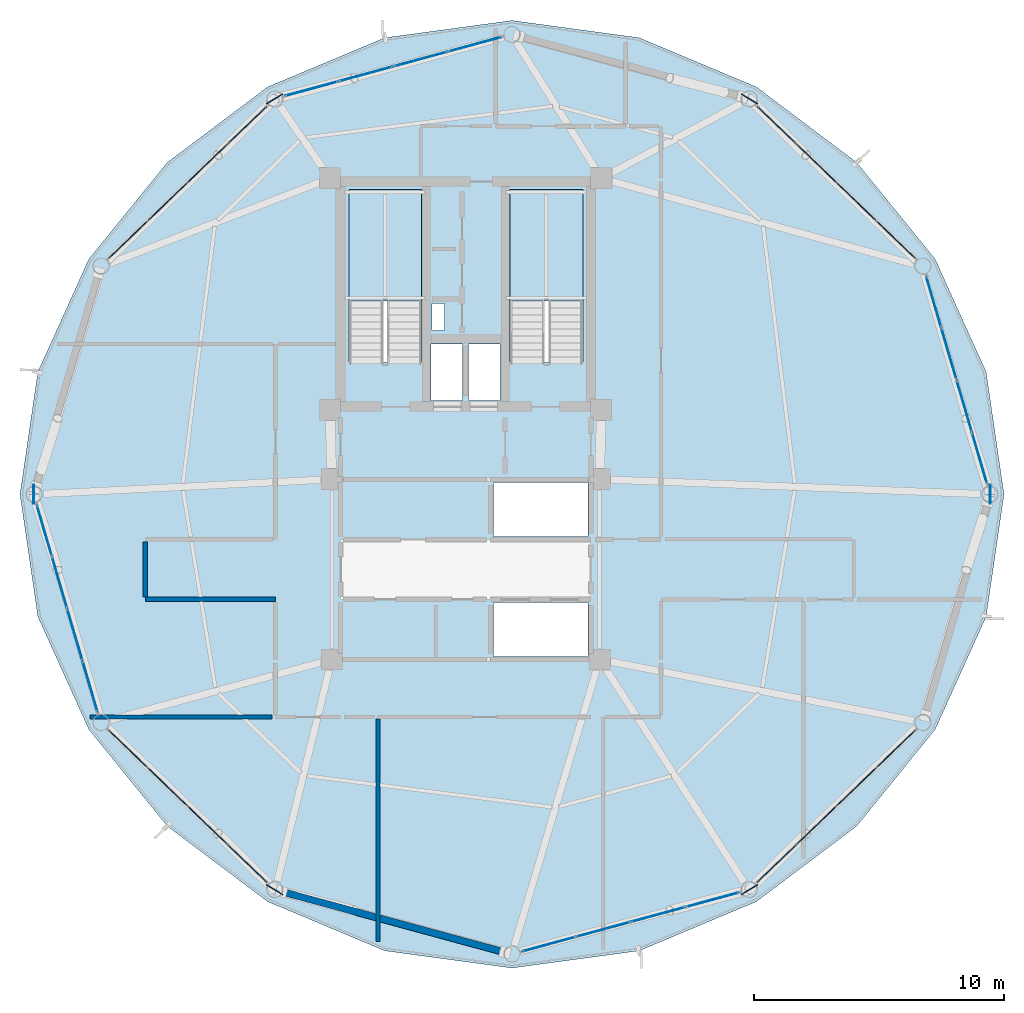
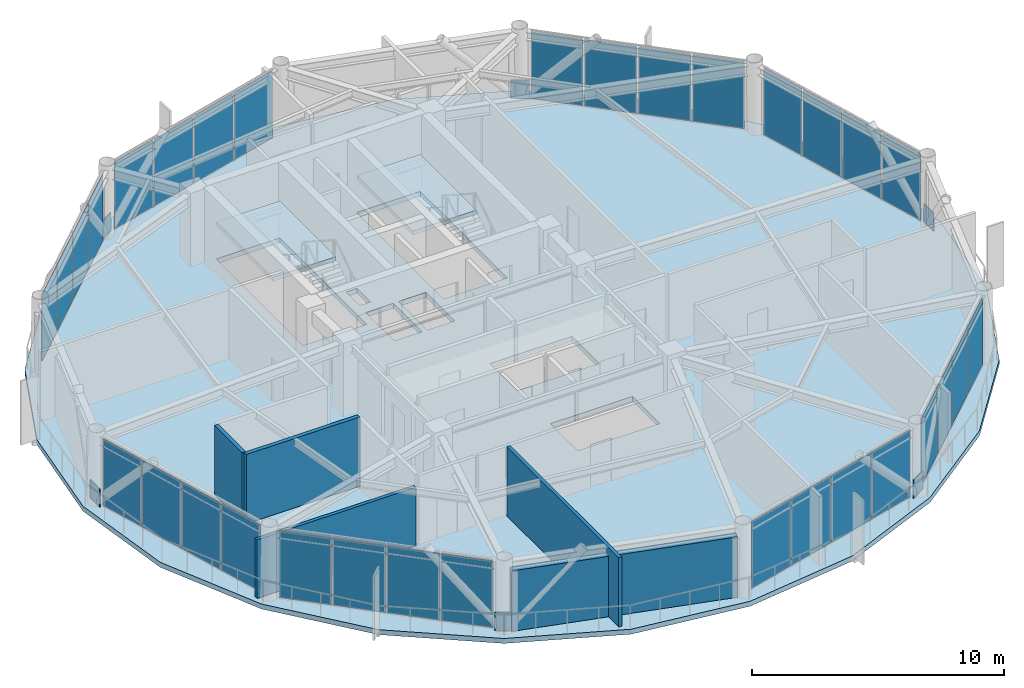
# One storey, part 22 of 28: 38 plates, 5 walls, 3 slabs, 10 elements without a shape of their own.
"""IFC4 building model written with IfcOpenShell, lengths in metres."""

from ifc_helpers import new_model, si_unit, direction, frame, frame_2d, origin, origin_2d, place, context, subcontext, project, spatial, polyline, rectangle, outline, extrude, source, transform, mapped, material, layer, layer_set, type_object, type_shapes, element, aggregate, save


model = new_model("IFC4")

# Units and contexts
model_context = context("Model", 3, precision=1e-05, world=origin(), true_north=direction((0.0, 1.0)))
body_context = subcontext(model_context, "Body", "Model", "MODEL_VIEW")
ifc_project = project(units=[si_unit("LENGTHUNIT", "METRE"), si_unit("AREAUNIT", "SQUARE_METRE"), si_unit("VOLUMEUNIT", "CUBIC_METRE"), si_unit("PLANEANGLEUNIT", "RADIAN"), si_unit("MASSUNIT", "GRAM", prefix="KILO")], contexts=[model_context])

# Site, building, storey
site_placement = place(None, origin())
site = spatial("IfcSite", under=ifc_project, at=site_placement, CompositionType="ELEMENT")
building_placement = place(site_placement, origin())
building = spatial("IfcBuilding", under=site, at=building_placement, Name="Varnakorn Sky Granary", CompositionType="ELEMENT")
storey_placement = place(building_placement, frame((0.0, 0.0, 214.800048828125)))
storey = spatial("IfcBuildingStorey", under=building, at=storey_placement, Name="L54", CompositionType="ELEMENT", Elevation=214.800048828125)

# Plates
ifc_material_1 = material(Name="Steel S460M", Category="steel")
ifc_layer_1 = layer(ifc_material_1, 0.035888671875, Name="Steel S460M")
ifc_layer_set_1 = layer_set([ifc_layer_1], Name="Steel S460M")
plate_type_1 = type_object("IfcPlateType", Name="PL-NODE-KN4", PredefinedType="SHEET", material=ifc_layer_set_1)
for number, where, z_axis, x_axis, name in (
    (1, (23.955078125, 0.0, 0.0), (0.0, 0.0, 1.0), (0.0, 1.0, 0.0), "Diagrid Node Gusset Assembly KN4 L54-1"),
    (2, (14.3349609375, 15.798095703125, 0.0), (0.0, 0.0, 1.0), (-0.857344447865, 0.514743137609, 0.0), "Diagrid Node Gusset Assembly KN4 L54-3"),
    (3, (-4.635009765625, 15.798095703125, 0.0), (0.0, 0.0, 1.0), (-0.857344447865, -0.514743137609, 0.0), "Diagrid Node Gusset Assembly KN4 L54-5"),
    (4, (-14.2548828125, 0.0, 0.0), (0.0, 0.0, 1.0), (0.0, -1.0, 0.0), "Diagrid Node Gusset Assembly KN4 L54-7"),
    (5, (-4.635009765625, -15.798095703125, 0.0), (0.0, 0.0, 1.0), (0.857344447865, -0.514743137609, 0.0), "Diagrid Node Gusset Assembly KN4 L54-9"),
    (6, (14.3349609375, -15.798095703125, 0.0), (0.0, 0.0, 1.0), (0.857344447865, 0.514743137609, 0.0), "Diagrid Node Gusset Assembly KN4 L54-11"),
):
    element("IfcPlate", number, at=place(storey_placement, frame(where, z_axis=z_axis, x_axis=x_axis)), inside=storey, type_object=plate_type_1, Name=name, PredefinedType="SHEET", context=body_context, shape_type="SweptSolid", body=[
        extrude(rectangle(XDim=0.760009765625, YDim=0.035888671875, at=origin_2d()), origin(), (0.0, 0.0, 1.0), 0.8798828125),
    ])

# Stair, slab
ifc_material_2 = material(Name="Concrete C40/50", Category="concrete")
stair_type = type_object("IfcStairType", Name="ST-MAIN-ASSEMBLY", PredefinedType="HALF_TURN_STAIR", material=ifc_material_2)
stair_1_placement = place(storey_placement, origin())
stair_1 = element("IfcStair", 7, at=stair_1_placement, inside=storey, type_object=stair_type, Name="L54 Protected Exit Stair ST-1", PredefinedType="HALF_TURN_STAIR")
ifc_layer_2 = layer(ifc_material_2, 0.199951171875, Name="Concrete C40/50")
ifc_layer_set_2 = layer_set([ifc_layer_2], Name="Concrete C40/50")
slab_type_1 = type_object("IfcSlabType", Name="ST-MAIN-LAND", PredefinedType="LANDING", material=ifc_layer_set_2)
slab_1_placement = place(storey_placement, frame((0.0, 0.0, 1.599853515625)))
slab_1 = element("IfcSlab", 8, at=slab_1_placement, type_object=slab_type_1, Name="ST-1 landing 1", PredefinedType="LANDING", context=body_context, shape_type="SweptSolid", body=[
    extrude(outline(polyline([(1.239990234375, 7.719970703125), (1.239990234375, 12.179931640625), (-1.669921875, 12.179931640625), (-1.669921875, 7.719970703125), (1.239990234375, 7.719970703125)])), origin(), (0.0, 0.0, 1.0), 0.2001953125),
])
aggregate(stair_1, [slab_1])

stair_2_placement = place(storey_placement, origin())
stair_2 = element("IfcStair", 9, at=stair_2_placement, inside=storey, type_object=stair_type, Name="L54 Protected Exit Stair ST-2", PredefinedType="HALF_TURN_STAIR")
slab_2_placement = place(storey_placement, frame((0.0, 0.0, 1.599853515625)))
slab_2 = element("IfcSlab", 10, at=slab_2_placement, type_object=slab_type_1, Name="ST-2 landing 1", PredefinedType="LANDING", context=body_context, shape_type="SweptSolid", body=[
    extrude(outline(polyline([(7.679931640625, 7.719970703125), (7.679931640625, 12.179931640625), (4.77001953125, 12.179931640625), (4.77001953125, 7.719970703125), (7.679931640625, 7.719970703125)])), origin(), (0.0, 0.0, 1.0), 0.2001953125),
])
aggregate(stair_2, [slab_2])

# Slab
ifc_material_3 = material(Name="Concrete C50/60", Category="concrete")
ifc_layer_3 = layer(ifc_material_3, 0.239990234375, Name="Concrete C50/60")
ifc_layer_set_3 = layer_set([ifc_layer_3], Name="Concrete C50/60")
slab_type_2 = type_object("IfcSlabType", Name="ST-SL-TWR-240", PredefinedType="FLOOR", material=ifc_layer_set_3)
slab_3_placement = place(storey_placement, frame((0.0, 0.0, -0.239990234375)))
element("IfcSlab", 11, at=slab_3_placement, inside=storey, type_object=slab_type_2, Name="Level L54 Structural Floor Slab", PredefinedType="FLOOR", context=body_context, shape_type="SweptSolid", body=[
    extrude(outline(polyline([(24.5048828125, 0.0), (23.791748046875, 4.886962890625), (21.7548828125, 9.39599609375), (18.620849609375, 13.256103515625), (14.610107421875, 16.2744140625), (9.92529296875, 18.238525390625), (4.85009765625, 18.927001953125), (-0.225341796875, 18.238525390625), (-4.909912109375, 16.2744140625), (-8.9208984375, 13.256103515625), (-12.0546875, 9.39599609375), (-14.091796875, 4.886962890625), (-14.804931640625, 0.0), (-14.091796875, -4.886962890625), (-12.0546875, -9.39599609375), (-8.9208984375, -13.256103515625), (-4.909912109375, -16.2744140625), (-0.225341796875, -18.238525390625), (4.85009765625, -18.927001953125), (9.92529296875, -18.238525390625), (14.610107421875, -16.2744140625), (18.620849609375, -13.256103515625), (21.7548828125, -9.39599609375), (23.791748046875, -4.886962890625), (24.5048828125, 0.0)]), holes=[polyline([(1.239990234375, 5.27490234375), (1.239990234375, 12.179931640625), (-1.669921875, 12.179931640625), (-1.669921875, 5.27490234375), (1.239990234375, 5.27490234375)]), polyline([(7.679931640625, 5.27490234375), (7.679931640625, 12.179931640625), (4.77001953125, 12.179931640625), (4.77001953125, 5.27490234375), (7.679931640625, 5.27490234375)]), polyline([(1.659912109375, 6.550048828125), (2.14990234375, 6.550048828125), (2.14990234375, 7.6201171875), (1.659912109375, 7.6201171875), (1.659912109375, 6.550048828125)]), polyline([(1.6201171875, 3.739990234375), (2.8798828125, 3.739990234375), (2.8798828125, 6.010009765625), (1.6201171875, 6.010009765625), (1.6201171875, 3.739990234375)]), polyline([(3.1201171875, 3.739990234375), (4.3798828125, 3.739990234375), (4.3798828125, 6.010009765625), (3.1201171875, 6.010009765625), (3.1201171875, 3.739990234375)]), polyline([(4.1201171875, -1.679931640625), (7.8798828125, -1.679931640625), (7.8798828125, 0.47998046875), (4.1201171875, 0.47998046875), (4.1201171875, -1.679931640625)]), polyline([(4.1201171875, -6.47998046875), (7.8798828125, -6.47998046875), (7.8798828125, -4.320068359375), (4.1201171875, -4.320068359375), (4.1201171875, -6.47998046875)])]), origin(), (0.0, 0.0, 1.0), 0.239990234375),
])

# Curtain wall, plates
ifc_material_4 = material(Name="Anodised Bronze Aluminium Alloy 6063-T6", Category="aluminium")
ifc_layer_4 = layer(ifc_material_4, 0.169921875, Name="Anodised Bronze Aluminium Alloy 6063-T6")
ifc_layer_set_4 = layer_set([ifc_layer_4], Name="Anodised Bronze Aluminium Alloy 6063-T6")
curtain_wall_type = type_object("IfcCurtainWallType", Name="CW-LAB-1", PredefinedType="USERDEFINED", material=ifc_layer_set_4)
curtain_wall_1_placement = place(storey_placement, origin())
curtain_wall_1 = element("IfcCurtainWall", 12, at=curtain_wall_1_placement, inside=storey, type_object=curtain_wall_type, Name="Unitised Curtain Wall CW5 CW-L54-B01", ObjectType="CURTAIN WALL", PredefinedType="USERDEFINED")
ifc_material_5 = material(Name="Low-E Tinted Laminated Glass", Category="glass")
ifc_layer_5 = layer(ifc_material_5, 0.033935546875, Name="Low-E Tinted Laminated Glass")
ifc_layer_set_5 = layer_set([ifc_layer_5], Name="Low-E Tinted Laminated Glass")
plate_type_2 = type_object("IfcPlateType", Name="CW-LAB-1-PNL", PredefinedType="CURTAIN_PANEL")
shared_shape_1 = source(origin(), body_context, "Body", "SweptSolid", [
    extrude(rectangle(XDim=2.083984375, YDim=0.033935546875, at=origin_2d()), origin(), (0.0, 0.0, 1.0), 3.219970703125),
])
plate_1_placement = place(storey_placement, frame((21.699951171875, 7.6845703125, 0.06982421875), z_axis=(0.0, 0.0, 1.0), x_axis=(0.281572478502, -0.959539962352, 0.0)))
plate_1 = element("IfcPlate", 13, at=plate_1_placement, type_object=plate_type_2, material=ifc_layer_set_5, Name="CW5 vision glazing unit 1.1", PredefinedType="CURTAIN_PANEL", context=body_context, shape_type="MappedRepresentation", body=[
    mapped(shared_shape_1, transform((0.0, 0.0, 0.0), x_axis=(1.0, 0.0, 0.0), y_axis=(0.0, 1.0, 0.0), z_axis=(0.0, 0.0, 1.0), scale=1.0)),
])
ifc_material_6 = material(Name="Opaque Insulated Aluminium Shadow-Box Unit", Category="aluminium")
ifc_layer_6 = layer(ifc_material_6, 0.033935546875, Name="Opaque Insulated Aluminium Shadow-Box Unit")
ifc_layer_set_6 = layer_set([ifc_layer_6], Name="Opaque Insulated Aluminium Shadow-Box Unit")
plate_2_placement = place(storey_placement, frame((23.533447265625, 1.436279296875, 0.06982421875), z_axis=(0.0, 0.0, 1.0), x_axis=(0.281572478502, -0.959539962352, 0.0)))
plate_2 = element("IfcPlate", 14, at=plate_2_placement, type_object=plate_type_2, material=ifc_layer_set_6, Name="CW5 opaque insulated shadow-box unit 4.1", PredefinedType="CURTAIN_PANEL", context=body_context, shape_type="MappedRepresentation", body=[
    mapped(shared_shape_1, transform((0.0, 0.0, 0.0), x_axis=(1.0, 0.0, 0.0), y_axis=(0.0, 1.0, 0.0), z_axis=(0.0, 0.0, 1.0), scale=1.0)),
])

curtain_wall_2_placement = place(storey_placement, origin())
curtain_wall_2 = element("IfcCurtainWall", 15, at=curtain_wall_2_placement, inside=storey, type_object=curtain_wall_type, Name="Unitised Curtain Wall CW5 CW-L54-B07", ObjectType="CURTAIN WALL", PredefinedType="USERDEFINED")
plate_3_placement = place(storey_placement, frame((-12.0, -7.6845703125, 0.06982421875), z_axis=(0.0, 0.0, 1.0), x_axis=(-0.281572478502, 0.959539962352, 0.0)))
plate_3 = element("IfcPlate", 16, at=plate_3_placement, type_object=plate_type_2, material=ifc_layer_set_5, Name="CW5 vision glazing unit 1.1", PredefinedType="CURTAIN_PANEL", context=body_context, shape_type="MappedRepresentation", body=[
    mapped(shared_shape_1, transform((0.0, 0.0, 0.0), x_axis=(1.0, 0.0, 0.0), y_axis=(0.0, 1.0, 0.0), z_axis=(0.0, 0.0, 1.0), scale=1.0)),
])
plate_4_placement = place(storey_placement, frame((-13.83349609375, -1.436279296875, 0.06982421875), z_axis=(0.0, 0.0, 1.0), x_axis=(-0.281572478502, 0.959539962352, 0.0)))
plate_4 = element("IfcPlate", 17, at=plate_4_placement, type_object=plate_type_2, material=ifc_layer_set_6, Name="CW5 opaque insulated shadow-box unit 4.1", PredefinedType="CURTAIN_PANEL", context=body_context, shape_type="MappedRepresentation", body=[
    mapped(shared_shape_1, transform((0.0, 0.0, 0.0), x_axis=(1.0, 0.0, 0.0), y_axis=(0.0, 1.0, 0.0), z_axis=(0.0, 0.0, 1.0), scale=1.0)),
])

# Plate
shared_shape_2 = source(origin(), body_context, "Body", "SweptSolid", [
    extrude(rectangle(XDim=2.116455078125, YDim=0.033935546875, at=origin_2d()), origin(), (0.0, 0.0, 1.0), 3.219970703125),
])
plate_5_placement = place(storey_placement, frame((22.3095703125, 5.607177734375, 0.06982421875), z_axis=(0.0, 0.0, 1.0), x_axis=(0.281572478502, -0.959539962352, 0.0)))
plate_5 = element("IfcPlate", 18, at=plate_5_placement, type_object=plate_type_2, material=ifc_layer_set_5, Name="CW5 vision glazing unit 2.1", PredefinedType="CURTAIN_PANEL", context=body_context, shape_type="MappedRepresentation", body=[
    mapped(shared_shape_2, transform((0.0, 0.0, 0.0), x_axis=(1.0, 0.0, 0.0), y_axis=(0.0, 1.0, 0.0), z_axis=(0.0, 0.0, 1.0), scale=1.0)),
])

plate_6_placement = place(storey_placement, frame((22.923828125, 3.513916015625, 0.06982421875), z_axis=(0.0, 0.0, 1.0), x_axis=(0.281572478502, -0.959539962352, 0.0)))
plate_6 = element("IfcPlate", 19, at=plate_6_placement, type_object=plate_type_2, material=ifc_layer_set_6, Name="CW5 opaque insulated shadow-box unit 3.1", PredefinedType="CURTAIN_PANEL", context=body_context, shape_type="MappedRepresentation", body=[
    mapped(shared_shape_2, transform((0.0, 0.0, 0.0), x_axis=(1.0, 0.0, 0.0), y_axis=(0.0, 1.0, 0.0), z_axis=(0.0, 0.0, 1.0), scale=1.0)),
])

aggregate(curtain_wall_1, [plate_1, plate_5, plate_6, plate_2])

plate_7_placement = place(storey_placement, frame((-12.609619140625, -5.607177734375, 0.06982421875), z_axis=(0.0, 0.0, 1.0), x_axis=(-0.281572478502, 0.959539962352, 0.0)))
plate_7 = element("IfcPlate", 20, at=plate_7_placement, type_object=plate_type_2, material=ifc_layer_set_5, Name="CW5 vision glazing unit 2.1", PredefinedType="CURTAIN_PANEL", context=body_context, shape_type="MappedRepresentation", body=[
    mapped(shared_shape_2, transform((0.0, 0.0, 0.0), x_axis=(1.0, 0.0, 0.0), y_axis=(0.0, 1.0, 0.0), z_axis=(0.0, 0.0, 1.0), scale=1.0)),
])

plate_8_placement = place(storey_placement, frame((-13.223876953125, -3.513916015625, 0.06982421875), z_axis=(0.0, 0.0, 1.0), x_axis=(-0.281572478502, 0.959539962352, 0.0)))
plate_8 = element("IfcPlate", 21, at=plate_8_placement, type_object=plate_type_2, material=ifc_layer_set_6, Name="CW5 opaque insulated shadow-box unit 3.1", PredefinedType="CURTAIN_PANEL", context=body_context, shape_type="MappedRepresentation", body=[
    mapped(shared_shape_2, transform((0.0, 0.0, 0.0), x_axis=(1.0, 0.0, 0.0), y_axis=(0.0, 1.0, 0.0), z_axis=(0.0, 0.0, 1.0), scale=1.0)),
])

aggregate(curtain_wall_2, [plate_3, plate_7, plate_8, plate_4])

# Curtain wall, plates
curtain_wall_3_placement = place(storey_placement, origin())
curtain_wall_3 = element("IfcCurtainWall", 22, at=curtain_wall_3_placement, inside=storey, type_object=curtain_wall_type, Name="Unitised Curtain Wall CW5 CW-L54-B02", ObjectType="CURTAIN WALL", PredefinedType="USERDEFINED")
shared_shape_3 = source(origin(), body_context, "Body", "SweptSolid", [
    extrude(rectangle(XDim=2.11572265625, YDim=0.033935546875, at=origin_2d()), origin(), (0.0, 0.0, 1.0), 3.219970703125),
])
plate_9_placement = place(storey_placement, frame((15.425537109375, 14.749267578125, 0.06982421875), z_axis=(0.0, 0.0, 1.0), x_axis=(0.72080289355, -0.693140093091, 0.0)))
plate_9 = element("IfcPlate", 23, at=plate_9_placement, type_object=plate_type_2, material=ifc_layer_set_6, Name="CW5 opaque insulated shadow-box unit 1.1", PredefinedType="CURTAIN_PANEL", context=body_context, shape_type="MappedRepresentation", body=[
    mapped(shared_shape_3, transform((0.0, 0.0, 0.0), x_axis=(1.0, 0.0, 0.0), y_axis=(0.0, 1.0, 0.0), z_axis=(0.0, 0.0, 1.0), scale=1.0)),
])
plate_10_placement = place(storey_placement, frame((20.18798828125, 10.169677734375, 0.06982421875), z_axis=(0.0, 0.0, 1.0), x_axis=(0.72080289355, -0.693140093091, 0.0)))
plate_10 = element("IfcPlate", 24, at=plate_10_placement, type_object=plate_type_2, material=ifc_layer_set_5, Name="CW5 vision glazing unit 4.1", PredefinedType="CURTAIN_PANEL", context=body_context, shape_type="MappedRepresentation", body=[
    mapped(shared_shape_3, transform((0.0, 0.0, 0.0), x_axis=(1.0, 0.0, 0.0), y_axis=(0.0, 1.0, 0.0), z_axis=(0.0, 0.0, 1.0), scale=1.0)),
])

curtain_wall_4_placement = place(storey_placement, origin())
curtain_wall_4 = element("IfcCurtainWall", 25, at=curtain_wall_4_placement, inside=storey, type_object=curtain_wall_type, Name="Unitised Curtain Wall CW5 CW-L54-B05", ObjectType="CURTAIN WALL", PredefinedType="USERDEFINED")
plate_11_placement = place(storey_placement, frame((-10.488037109375, 10.169677734375, 0.06982421875), z_axis=(0.0, 0.0, 1.0), x_axis=(0.72080289355, 0.693140093091, 0.0)))
plate_11 = element("IfcPlate", 26, at=plate_11_placement, type_object=plate_type_2, material=ifc_layer_set_5, Name="CW5 vision glazing unit 1.1", PredefinedType="CURTAIN_PANEL", context=body_context, shape_type="MappedRepresentation", body=[
    mapped(shared_shape_3, transform((0.0, 0.0, 0.0), x_axis=(1.0, 0.0, 0.0), y_axis=(0.0, 1.0, 0.0), z_axis=(0.0, 0.0, 1.0), scale=1.0)),
])
plate_12_placement = place(storey_placement, frame((-5.7255859375, 14.749267578125, 0.06982421875), z_axis=(0.0, 0.0, 1.0), x_axis=(0.72080289355, 0.693140093091, 0.0)))
plate_12 = element("IfcPlate", 27, at=plate_12_placement, type_object=plate_type_2, material=ifc_layer_set_6, Name="CW5 opaque insulated shadow-box unit 4.1", PredefinedType="CURTAIN_PANEL", context=body_context, shape_type="MappedRepresentation", body=[
    mapped(shared_shape_3, transform((0.0, 0.0, 0.0), x_axis=(1.0, 0.0, 0.0), y_axis=(0.0, 1.0, 0.0), z_axis=(0.0, 0.0, 1.0), scale=1.0)),
])

curtain_wall_5_placement = place(storey_placement, origin())
curtain_wall_5 = element("IfcCurtainWall", 28, at=curtain_wall_5_placement, inside=storey, type_object=curtain_wall_type, Name="Unitised Curtain Wall CW5 CW-L54-B08", ObjectType="CURTAIN WALL", PredefinedType="USERDEFINED")
plate_13_placement = place(storey_placement, frame((-5.7255859375, -14.749267578125, 0.06982421875), z_axis=(0.0, 0.0, 1.0), x_axis=(-0.72080289355, 0.693140093091, 0.0)))
plate_13 = element("IfcPlate", 29, at=plate_13_placement, type_object=plate_type_2, material=ifc_layer_set_6, Name="CW5 opaque insulated shadow-box unit 1.1", PredefinedType="CURTAIN_PANEL", context=body_context, shape_type="MappedRepresentation", body=[
    mapped(shared_shape_3, transform((0.0, 0.0, 0.0), x_axis=(1.0, 0.0, 0.0), y_axis=(0.0, 1.0, 0.0), z_axis=(0.0, 0.0, 1.0), scale=1.0)),
])
plate_14_placement = place(storey_placement, frame((-10.488037109375, -10.169677734375, 0.06982421875), z_axis=(0.0, 0.0, 1.0), x_axis=(-0.72080289355, 0.693140093091, 0.0)))
plate_14 = element("IfcPlate", 30, at=plate_14_placement, type_object=plate_type_2, material=ifc_layer_set_5, Name="CW5 vision glazing unit 4.1", PredefinedType="CURTAIN_PANEL", context=body_context, shape_type="MappedRepresentation", body=[
    mapped(shared_shape_3, transform((0.0, 0.0, 0.0), x_axis=(1.0, 0.0, 0.0), y_axis=(0.0, 1.0, 0.0), z_axis=(0.0, 0.0, 1.0), scale=1.0)),
])

curtain_wall_6_placement = place(storey_placement, origin())
curtain_wall_6 = element("IfcCurtainWall", 31, at=curtain_wall_6_placement, inside=storey, type_object=curtain_wall_type, Name="Unitised Curtain Wall CW5 CW-L54-B11", ObjectType="CURTAIN WALL", PredefinedType="USERDEFINED")
plate_15_placement = place(storey_placement, frame((20.18798828125, -10.169677734375, 0.06982421875), z_axis=(0.0, 0.0, 1.0), x_axis=(-0.72080289355, -0.693140093091, 0.0)))
plate_15 = element("IfcPlate", 32, at=plate_15_placement, type_object=plate_type_2, material=ifc_layer_set_5, Name="CW5 vision glazing unit 1.1", PredefinedType="CURTAIN_PANEL", context=body_context, shape_type="MappedRepresentation", body=[
    mapped(shared_shape_3, transform((0.0, 0.0, 0.0), x_axis=(1.0, 0.0, 0.0), y_axis=(0.0, 1.0, 0.0), z_axis=(0.0, 0.0, 1.0), scale=1.0)),
])
plate_16_placement = place(storey_placement, frame((15.425537109375, -14.749267578125, 0.06982421875), z_axis=(0.0, 0.0, 1.0), x_axis=(-0.72080289355, -0.693140093091, 0.0)))
plate_16 = element("IfcPlate", 33, at=plate_16_placement, type_object=plate_type_2, material=ifc_layer_set_6, Name="CW5 opaque insulated shadow-box unit 4.1", PredefinedType="CURTAIN_PANEL", context=body_context, shape_type="MappedRepresentation", body=[
    mapped(shared_shape_3, transform((0.0, 0.0, 0.0), x_axis=(1.0, 0.0, 0.0), y_axis=(0.0, 1.0, 0.0), z_axis=(0.0, 0.0, 1.0), scale=1.0)),
])

# Plate
shared_shape_4 = source(origin(), body_context, "Body", "SweptSolid", [
    extrude(rectangle(XDim=2.148193359375, YDim=0.033935546875, at=origin_2d()), origin(), (0.0, 0.0, 1.0), 3.219970703125),
])
plate_17_placement = place(storey_placement, frame((17.009033203125, 13.2265625, 0.06982421875), z_axis=(0.0, 0.0, 1.0), x_axis=(0.72080289355, -0.693140093091, 0.0)))
plate_17 = element("IfcPlate", 34, at=plate_17_placement, type_object=plate_type_2, material=ifc_layer_set_6, Name="CW5 opaque insulated shadow-box unit 2.1", PredefinedType="CURTAIN_PANEL", context=body_context, shape_type="MappedRepresentation", body=[
    mapped(shared_shape_4, transform((0.0, 0.0, 0.0), x_axis=(1.0, 0.0, 0.0), y_axis=(0.0, 1.0, 0.0), z_axis=(0.0, 0.0, 1.0), scale=1.0)),
])

plate_18_placement = place(storey_placement, frame((18.6044921875, 11.6923828125, 0.06982421875), z_axis=(0.0, 0.0, 1.0), x_axis=(0.72080289355, -0.693140093091, 0.0)))
plate_18 = element("IfcPlate", 35, at=plate_18_placement, type_object=plate_type_2, material=ifc_layer_set_5, Name="CW5 vision glazing unit 3.1", PredefinedType="CURTAIN_PANEL", context=body_context, shape_type="MappedRepresentation", body=[
    mapped(shared_shape_4, transform((0.0, 0.0, 0.0), x_axis=(1.0, 0.0, 0.0), y_axis=(0.0, 1.0, 0.0), z_axis=(0.0, 0.0, 1.0), scale=1.0)),
])

aggregate(curtain_wall_3, [plate_9, plate_17, plate_18, plate_10])

plate_19_placement = place(storey_placement, frame((-8.904296875, 11.6923828125, 0.06982421875), z_axis=(0.0, 0.0, 1.0), x_axis=(0.72080289355, 0.693140093091, 0.0)))
plate_19 = element("IfcPlate", 36, at=plate_19_placement, type_object=plate_type_2, material=ifc_layer_set_5, Name="CW5 vision glazing unit 2.1", PredefinedType="CURTAIN_PANEL", context=body_context, shape_type="MappedRepresentation", body=[
    mapped(shared_shape_4, transform((0.0, 0.0, 0.0), x_axis=(1.0, 0.0, 0.0), y_axis=(0.0, 1.0, 0.0), z_axis=(0.0, 0.0, 1.0), scale=1.0)),
])

plate_20_placement = place(storey_placement, frame((-7.30908203125, 13.2265625, 0.06982421875), z_axis=(0.0, 0.0, 1.0), x_axis=(0.72080289355, 0.693140093091, 0.0)))
plate_20 = element("IfcPlate", 37, at=plate_20_placement, type_object=plate_type_2, material=ifc_layer_set_6, Name="CW5 opaque insulated shadow-box unit 3.1", PredefinedType="CURTAIN_PANEL", context=body_context, shape_type="MappedRepresentation", body=[
    mapped(shared_shape_4, transform((0.0, 0.0, 0.0), x_axis=(1.0, 0.0, 0.0), y_axis=(0.0, 1.0, 0.0), z_axis=(0.0, 0.0, 1.0), scale=1.0)),
])

aggregate(curtain_wall_4, [plate_11, plate_19, plate_20, plate_12])

plate_21_placement = place(storey_placement, frame((-7.30908203125, -13.2265625, 0.06982421875), z_axis=(0.0, 0.0, 1.0), x_axis=(-0.72080289355, 0.693140093091, 0.0)))
plate_21 = element("IfcPlate", 38, at=plate_21_placement, type_object=plate_type_2, material=ifc_layer_set_6, Name="CW5 opaque insulated shadow-box unit 2.1", PredefinedType="CURTAIN_PANEL", context=body_context, shape_type="MappedRepresentation", body=[
    mapped(shared_shape_4, transform((0.0, 0.0, 0.0), x_axis=(1.0, 0.0, 0.0), y_axis=(0.0, 1.0, 0.0), z_axis=(0.0, 0.0, 1.0), scale=1.0)),
])

plate_22_placement = place(storey_placement, frame((-8.904296875, -11.6923828125, 0.06982421875), z_axis=(0.0, 0.0, 1.0), x_axis=(-0.72080289355, 0.693140093091, 0.0)))
plate_22 = element("IfcPlate", 39, at=plate_22_placement, type_object=plate_type_2, material=ifc_layer_set_5, Name="CW5 vision glazing unit 3.1", PredefinedType="CURTAIN_PANEL", context=body_context, shape_type="MappedRepresentation", body=[
    mapped(shared_shape_4, transform((0.0, 0.0, 0.0), x_axis=(1.0, 0.0, 0.0), y_axis=(0.0, 1.0, 0.0), z_axis=(0.0, 0.0, 1.0), scale=1.0)),
])

aggregate(curtain_wall_5, [plate_13, plate_21, plate_22, plate_14])

plate_23_placement = place(storey_placement, frame((18.6044921875, -11.6923828125, 0.06982421875), z_axis=(0.0, 0.0, 1.0), x_axis=(-0.72080289355, -0.693140093091, 0.0)))
plate_23 = element("IfcPlate", 40, at=plate_23_placement, type_object=plate_type_2, material=ifc_layer_set_5, Name="CW5 vision glazing unit 2.1", PredefinedType="CURTAIN_PANEL", context=body_context, shape_type="MappedRepresentation", body=[
    mapped(shared_shape_4, transform((0.0, 0.0, 0.0), x_axis=(1.0, 0.0, 0.0), y_axis=(0.0, 1.0, 0.0), z_axis=(0.0, 0.0, 1.0), scale=1.0)),
])

plate_24_placement = place(storey_placement, frame((17.009033203125, -13.2265625, 0.06982421875), z_axis=(0.0, 0.0, 1.0), x_axis=(-0.72080289355, -0.693140093091, 0.0)))
plate_24 = element("IfcPlate", 41, at=plate_24_placement, type_object=plate_type_2, material=ifc_layer_set_6, Name="CW5 opaque insulated shadow-box unit 3.1", PredefinedType="CURTAIN_PANEL", context=body_context, shape_type="MappedRepresentation", body=[
    mapped(shared_shape_4, transform((0.0, 0.0, 0.0), x_axis=(1.0, 0.0, 0.0), y_axis=(0.0, 1.0, 0.0), z_axis=(0.0, 0.0, 1.0), scale=1.0)),
])

aggregate(curtain_wall_6, [plate_15, plate_23, plate_24, plate_16])

# Curtain wall, plates
curtain_wall_7_placement = place(storey_placement, origin())
curtain_wall_7 = element("IfcCurtainWall", 42, at=curtain_wall_7_placement, inside=storey, type_object=curtain_wall_type, Name="Unitised Curtain Wall CW5 CW-L54-B04", ObjectType="CURTAIN WALL", PredefinedType="USERDEFINED")
shared_shape_5 = source(origin(), body_context, "Body", "SweptSolid", [
    extrude(rectangle(XDim=2.164794921875, YDim=0.033935546875, at=origin_2d()), origin(), (0.0, 0.0, 1.0), 3.219970703125),
])
plate_25_placement = place(storey_placement, frame((-3.1513671875, 16.201416015625, 0.06982421875), z_axis=(0.0, 0.0, 1.0), x_axis=(0.964964487021, 0.262380522882, 0.0)))
plate_25 = element("IfcPlate", 43, at=plate_25_placement, type_object=plate_type_2, material=ifc_layer_set_6, Name="CW5 opaque insulated shadow-box unit 1.1", PredefinedType="CURTAIN_PANEL", context=body_context, shape_type="MappedRepresentation", body=[
    mapped(shared_shape_5, transform((0.0, 0.0, 0.0), x_axis=(1.0, 0.0, 0.0), y_axis=(0.0, 1.0, 0.0), z_axis=(0.0, 0.0, 1.0), scale=1.0)),
])
plate_26_placement = place(storey_placement, frame((3.366455078125, 17.9736328125, 0.06982421875), z_axis=(0.0, 0.0, 1.0), x_axis=(0.964964487021, 0.262380522882, 0.0)))
plate_26 = element("IfcPlate", 44, at=plate_26_placement, type_object=plate_type_2, material=ifc_layer_set_5, Name="CW5 vision glazing unit 4.1", PredefinedType="CURTAIN_PANEL", context=body_context, shape_type="MappedRepresentation", body=[
    mapped(shared_shape_5, transform((0.0, 0.0, 0.0), x_axis=(1.0, 0.0, 0.0), y_axis=(0.0, 1.0, 0.0), z_axis=(0.0, 0.0, 1.0), scale=1.0)),
])

curtain_wall_8_placement = place(storey_placement, origin())
curtain_wall_8 = element("IfcCurtainWall", 45, at=curtain_wall_8_placement, inside=storey, type_object=curtain_wall_type, Name="Unitised Curtain Wall CW5 CW-L54-B10", ObjectType="CURTAIN WALL", PredefinedType="USERDEFINED")
plate_27_placement = place(storey_placement, frame((12.8515625, -16.201416015625, 0.06982421875), z_axis=(0.0, 0.0, 1.0), x_axis=(-0.964964487021, -0.262380522882, 0.0)))
plate_27 = element("IfcPlate", 46, at=plate_27_placement, type_object=plate_type_2, material=ifc_layer_set_6, Name="CW5 opaque insulated shadow-box unit 1.1", PredefinedType="CURTAIN_PANEL", context=body_context, shape_type="MappedRepresentation", body=[
    mapped(shared_shape_5, transform((0.0, 0.0, 0.0), x_axis=(1.0, 0.0, 0.0), y_axis=(0.0, 1.0, 0.0), z_axis=(0.0, 0.0, 1.0), scale=1.0)),
])
plate_28_placement = place(storey_placement, frame((6.33349609375, -17.9736328125, 0.06982421875), z_axis=(0.0, 0.0, 1.0), x_axis=(-0.964964487021, -0.262380522882, 0.0)))
plate_28 = element("IfcPlate", 47, at=plate_28_placement, type_object=plate_type_2, material=ifc_layer_set_5, Name="CW5 vision glazing unit 4.1", PredefinedType="CURTAIN_PANEL", context=body_context, shape_type="MappedRepresentation", body=[
    mapped(shared_shape_5, transform((0.0, 0.0, 0.0), x_axis=(1.0, 0.0, 0.0), y_axis=(0.0, 1.0, 0.0), z_axis=(0.0, 0.0, 1.0), scale=1.0)),
])

# Plate
shared_shape_6 = source(origin(), body_context, "Body", "SweptSolid", [
    extrude(rectangle(XDim=2.197265625, YDim=0.033935546875, at=origin_2d()), origin(), (0.0, 0.0, 1.0), 3.219970703125),
])
type_shapes(plate_type_2, [shared_shape_1, shared_shape_2, shared_shape_3, shared_shape_4, shared_shape_5, shared_shape_6])
plate_29_placement = place(storey_placement, frame((-0.984130859375, 16.790771484375, 0.06982421875), z_axis=(0.0, 0.0, 1.0), x_axis=(0.964964487021, 0.262380522882, 0.0)))
plate_29 = element("IfcPlate", 48, at=plate_29_placement, type_object=plate_type_2, material=ifc_layer_set_6, Name="CW5 opaque insulated shadow-box unit 2.1", PredefinedType="CURTAIN_PANEL", context=body_context, shape_type="MappedRepresentation", body=[
    mapped(shared_shape_6, transform((0.0, 0.0, 0.0), x_axis=(1.0, 0.0, 0.0), y_axis=(0.0, 1.0, 0.0), z_axis=(0.0, 0.0, 1.0), scale=1.0)),
])

plate_30_placement = place(storey_placement, frame((1.198974609375, 17.38427734375, 0.06982421875), z_axis=(0.0, 0.0, 1.0), x_axis=(0.964964487021, 0.262380522882, 0.0)))
plate_30 = element("IfcPlate", 49, at=plate_30_placement, type_object=plate_type_2, material=ifc_layer_set_5, Name="CW5 vision glazing unit 3.1", PredefinedType="CURTAIN_PANEL", context=body_context, shape_type="MappedRepresentation", body=[
    mapped(shared_shape_6, transform((0.0, 0.0, 0.0), x_axis=(1.0, 0.0, 0.0), y_axis=(0.0, 1.0, 0.0), z_axis=(0.0, 0.0, 1.0), scale=1.0)),
])

aggregate(curtain_wall_7, [plate_25, plate_29, plate_30, plate_26])

plate_31_placement = place(storey_placement, frame((10.68408203125, -16.790771484375, 0.06982421875), z_axis=(0.0, 0.0, 1.0), x_axis=(-0.964964487021, -0.262380522882, 0.0)))
plate_31 = element("IfcPlate", 50, at=plate_31_placement, type_object=plate_type_2, material=ifc_layer_set_6, Name="CW5 opaque insulated shadow-box unit 2.1", PredefinedType="CURTAIN_PANEL", context=body_context, shape_type="MappedRepresentation", body=[
    mapped(shared_shape_6, transform((0.0, 0.0, 0.0), x_axis=(1.0, 0.0, 0.0), y_axis=(0.0, 1.0, 0.0), z_axis=(0.0, 0.0, 1.0), scale=1.0)),
])

plate_32_placement = place(storey_placement, frame((8.5009765625, -17.38427734375, 0.06982421875), z_axis=(0.0, 0.0, 1.0), x_axis=(-0.964964487021, -0.262380522882, 0.0)))
plate_32 = element("IfcPlate", 51, at=plate_32_placement, type_object=plate_type_2, material=ifc_layer_set_5, Name="CW5 vision glazing unit 3.1", PredefinedType="CURTAIN_PANEL", context=body_context, shape_type="MappedRepresentation", body=[
    mapped(shared_shape_6, transform((0.0, 0.0, 0.0), x_axis=(1.0, 0.0, 0.0), y_axis=(0.0, 1.0, 0.0), z_axis=(0.0, 0.0, 1.0), scale=1.0)),
])

aggregate(curtain_wall_8, [plate_27, plate_31, plate_32, plate_28])

# Walls
ifc_material_7 = material(Name="Precast concrete C40/50", Category="concrete")
ifc_layer_7 = layer(ifc_material_7, 0.280029296875, Name="Precast concrete C40/50")
ifc_layer_set_7 = layer_set([ifc_layer_7], Name="Precast concrete C40/50")
wall_type_1 = type_object("IfcWallType", Name="WT-EW-CRN-280", PredefinedType="SOLIDWALL", material=ifc_layer_set_7)
wall_1_placement = place(storey_placement, frame((4.574951171875, -18.30224609375, 0.0), z_axis=(0.0, 0.0, 1.0), x_axis=(-0.964966152644, 0.262374397097, 0.0)))
element("IfcWall", 52, at=wall_1_placement, inside=storey, type_object=wall_type_1, Name="Agritech Insulated Precast Facade Wall L54-P09", PredefinedType="SOLIDWALL", context=body_context, shape_type="SweptSolid", body=[
    extrude(rectangle(XDim=9.259521484375, YDim=0.280029296875, at=frame_2d((4.6298828125, 0.0))), origin(), (0.0, 0.0, 1.0), 2.929931640625),
])
ifc_material_8 = material(Name="Gypsum Plasterboard on Steel Stud", Category="steel")
ifc_layer_8 = layer(ifc_material_8, 0.14990234375, Name="Gypsum Plasterboard on Steel Stud")
ifc_layer_set_8 = layer_set([ifc_layer_8], Name="Gypsum Plasterboard on Steel Stud")
wall_type_2 = type_object("IfcWallType", Name="WT-PART-150", PredefinedType="PARTITIONING", material=ifc_layer_set_8)
wall_2_placement = place(storey_placement, frame((-0.5, -8.985107421875, 0.0), z_axis=(0.0, 0.0, 1.0), x_axis=(0.0, -1.0, 0.0)))
element("IfcWall", 53, at=wall_2_placement, inside=storey, type_object=wall_type_2, Name="Interior Partition Wall L54-036", PredefinedType="PARTITIONING", context=body_context, shape_type="SweptSolid", body=[
    extrude(rectangle(XDim=8.880859375, YDim=0.14990234375, at=frame_2d((4.4404296875, 0.0))), origin(), (0.0, 0.0, 1.0), 3.35986328125),
])
wall_3_placement = place(storey_placement, frame((-12.01708984375, -8.89990234375, 0.0), z_axis=(0.0, 0.0, 1.0), x_axis=(1.0, 0.0, 0.0)))
element("IfcWall", 54, at=wall_3_placement, inside=storey, type_object=wall_type_2, Name="Interior Partition Wall L54-037", PredefinedType="PARTITIONING", context=body_context, shape_type="SweptSolid", body=[
    extrude(rectangle(XDim=7.281982421875, YDim=0.14990234375, at=frame_2d((3.64111328125, 0.0))), origin(), (0.0, 0.0, 1.0), 2.842041015625),
])
ifc_material_9 = material(Name="Moisture-Resistant Gypsum on Stud", Category="gypsum")
ifc_layer_9 = layer(ifc_material_9, 0.179931640625, Name="Moisture-Resistant Gypsum on Stud")
ifc_layer_set_9 = layer_set([ifc_layer_9], Name="Moisture-Resistant Gypsum on Stud")
wall_type_3 = type_object("IfcWallType", Name="WT-PLUMB-180", PredefinedType="PLUMBINGWALL", material=ifc_layer_set_9)
wall_4_placement = place(storey_placement, frame((-9.800048828125, -4.199951171875, 0.0), z_axis=(0.0, 0.0, 1.0), x_axis=(1.0, 0.0, 0.0)))
element("IfcWall", 55, at=wall_4_placement, inside=storey, type_object=wall_type_3, Name="Interior Partition Wall L54-045", PredefinedType="PLUMBINGWALL", context=body_context, shape_type="SweptSolid", body=[
    extrude(rectangle(XDim=5.199951171875, YDim=0.179931640625, at=frame_2d((2.60009765625, 0.0))), origin(), (0.0, 0.0, 1.0), 3.35986328125),
])
wall_5_placement = place(storey_placement, frame((-9.800048828125, -1.89990234375, 0.0), z_axis=(0.0, 0.0, 1.0), x_axis=(0.0, -1.0, 0.0)))
element("IfcWall", 56, at=wall_5_placement, inside=storey, type_object=wall_type_3, Name="Interior Partition Wall L54-046", PredefinedType="PLUMBINGWALL", context=body_context, shape_type="SweptSolid", body=[
    extrude(rectangle(XDim=2.2001953125, YDim=0.179931640625, at=frame_2d((1.10009765625, 0.0))), origin(), (0.0, 0.0, 1.0), 3.35986328125),
])

save(model, "model.ifc")
